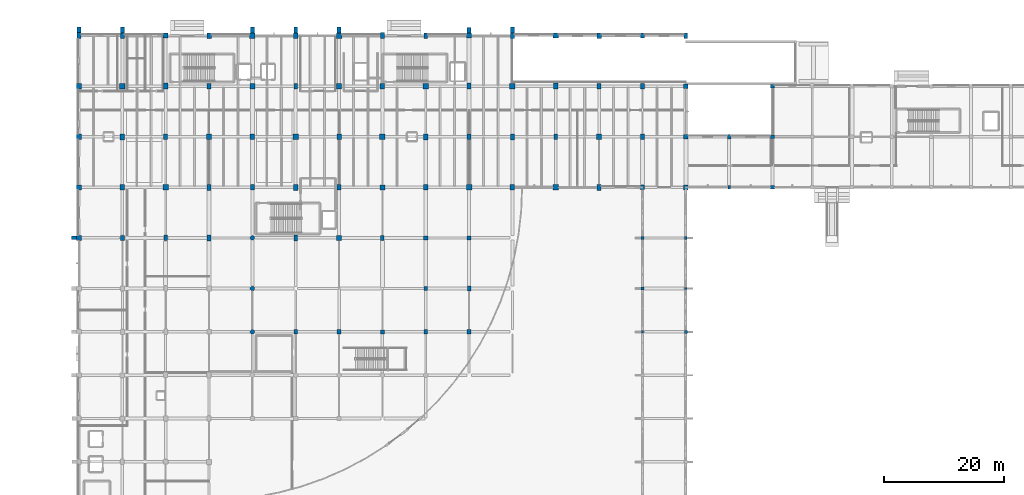
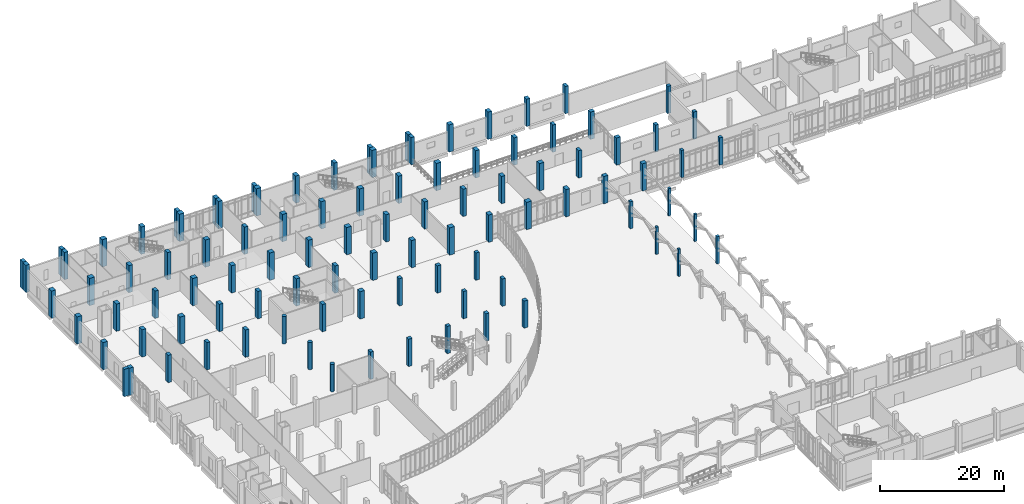
# One storey, part 5 of 110: 98 columns.
"""IFC4 building model written with IfcOpenShell, lengths in metres."""

from ifc_helpers import new_model, si_unit, direction, frame, origin, origin_2d, place, context, subcontext, project, spatial, rectangle, circle, extrude, material, material_profile, profile_set, type_object, element, save


model = new_model("IFC4")

# Units and contexts
model_context = context("Model", 3, precision=1e-05, world=origin(), true_north=direction((0.0, 1.0)))
body_context = subcontext(model_context, "Body", "Model", "MODEL_VIEW")
ifc_project = project(units=[si_unit("LENGTHUNIT", "METRE"), si_unit("AREAUNIT", "SQUARE_METRE"), si_unit("VOLUMEUNIT", "CUBIC_METRE"), si_unit("PLANEANGLEUNIT", "RADIAN"), si_unit("MASSUNIT", "GRAM", prefix="KILO")], contexts=[model_context])

# Site, building, storey
site_placement = place(None, origin())
site = spatial("IfcSite", under=ifc_project, at=site_placement, CompositionType="ELEMENT")
building_placement = place(site_placement, origin())
building = spatial("IfcBuilding", under=site, at=building_placement, Name="Kalluvel Institute of Natural Sciences", CompositionType="ELEMENT")
storey_placement = place(building_placement, origin())
storey = spatial("IfcBuildingStorey", under=building, at=storey_placement, Name="L00", CompositionType="ELEMENT", Elevation=0.0)

# Columns
ifc_material_1 = material(Name="Concrete M40", Category="concrete")
ifc_material_profile_1 = material_profile(ifc_material_1, rectangle(XDim=0.39990234375, YDim=0.39990234375, at=origin_2d()), Name="RC 400x400")
ifc_profile_set_1 = profile_set([ifc_material_profile_1], Name="Concrete M40")
column_type_1 = type_object("IfcColumnType", Name="COL-RC400", PredefinedType="COLUMN", material=ifc_profile_set_1)
for number, where, z_axis, x_axis, name in (
    (1, (107.60009765625, 78.800048828125, 0.0), (0.0, 0.0, 1.0), (1.0, 0.0, 0.0), "L00 structural column COL-L00-X1076-Y788"),
    (2, (114.800048828125, 86.0, 0.0), (0.0, 0.0, 1.0), (1.0, 0.0, 0.0), "L00 structural column COL-L00-X1148-Y860"),
):
    element("IfcColumn", number, at=place(storey_placement, frame(where, z_axis=z_axis, x_axis=x_axis)), inside=storey, type_object=column_type_1, Name=name, PredefinedType="COLUMN", context=body_context, shape_type="SweptSolid", body=[
        extrude(rectangle(XDim=0.39990234375, YDim=0.39990234375, at=origin_2d()), origin(), (0.0, 0.0, 1.0), 5.39990234375),
    ])
ifc_material_profile_2 = material_profile(ifc_material_1, rectangle(XDim=0.449951171875, YDim=0.449951171875, at=origin_2d()), Name="RC 450x450")
ifc_profile_set_2 = profile_set([ifc_material_profile_2], Name="Concrete M40")
column_type_2 = type_object("IfcColumnType", Name="COL-RC450", PredefinedType="COLUMN", material=ifc_profile_set_2)
for number, where, z_axis, x_axis, name in (
    (3, (107.60009765625, 86.0, 0.0), (0.0, 0.0, 1.0), (1.0, 0.0, 0.0), "L00 structural column COL-L00-X1076-Y860"),
    (4, (114.800048828125, 94.39990234375, 0.0), (0.0, 0.0, 1.0), (1.0, 0.0, 0.0), "L00 structural column COL-L00-X1148-Y944"),
):
    element("IfcColumn", number, at=place(storey_placement, frame(where, z_axis=z_axis, x_axis=x_axis)), inside=storey, type_object=column_type_2, Name=name, PredefinedType="COLUMN", context=body_context, shape_type="SweptSolid", body=[
        extrude(rectangle(XDim=0.449951171875, YDim=0.449951171875, at=origin_2d()), origin(), (0.0, 0.0, 1.0), 5.39990234375),
    ])
ifc_material_profile_3 = material_profile(ifc_material_1, rectangle(XDim=0.449951171875, YDim=0.60009765625, at=origin_2d()), Name="RC 450x600")
ifc_profile_set_3 = profile_set([ifc_material_profile_3], Name="Concrete M40")
column_type_3 = type_object("IfcColumnType", Name="COL-RC450x600", PredefinedType="COLUMN", material=ifc_profile_set_3)
column_1_placement = place(storey_placement, frame((122.0, 102.800048828125, 0.0), z_axis=(0.0, 0.0, 1.0), x_axis=(1.0, 0.0, 0.0)))
element("IfcColumn", 5, at=column_1_placement, inside=storey, type_object=column_type_3, Name="L00 structural column COL-L00-X1220-Y1028", PredefinedType="COLUMN", context=body_context, shape_type="SweptSolid", body=[
    extrude(rectangle(XDim=0.449951171875, YDim=0.60009765625, at=origin_2d()), origin(), (0.0, 0.0, 1.0), 5.39990234375),
])
ifc_material_profile_4 = material_profile(ifc_material_1, rectangle(XDim=0.5, YDim=0.5, at=origin_2d()), Name="RC 500x500")
ifc_profile_set_4 = profile_set([ifc_material_profile_4], Name="Concrete M40")
column_type_4 = type_object("IfcColumnType", Name="COL-RC500", PredefinedType="COLUMN", material=ifc_profile_set_4)
for number, where, z_axis, x_axis, name in (
    (6, (107.60009765625, 94.39990234375, 0.0), (0.0, 0.0, 1.0), (1.0, 0.0, 0.0), "L00 structural column COL-L00-X1076-Y944"),
    (7, (114.800048828125, 78.800048828125, 0.0), (0.0, 0.0, 1.0), (1.0, 0.0, 0.0), "L00 structural column COL-L00-X1148-Y788"),
):
    element("IfcColumn", number, at=place(storey_placement, frame(where, z_axis=z_axis, x_axis=x_axis)), inside=storey, type_object=column_type_4, Name=name, PredefinedType="COLUMN", context=body_context, shape_type="SweptSolid", body=[
        extrude(rectangle(XDim=0.5, YDim=0.5, at=origin_2d()), origin(), (0.0, 0.0, 1.0), 5.39990234375),
    ])
ifc_material_profile_5 = material_profile(ifc_material_1, rectangle(XDim=0.550048828125, YDim=0.75, at=origin_2d()), Name="RC 550x750")
ifc_profile_set_5 = profile_set([ifc_material_profile_5], Name="Concrete M40")
column_type_5 = type_object("IfcColumnType", Name="COL-RC550x750", PredefinedType="COLUMN", material=ifc_profile_set_5)
column_2_placement = place(storey_placement, frame((122.0, 111.199951171875, 0.0), z_axis=(0.0, 0.0, 1.0), x_axis=(1.0, 0.0, 0.0)))
element("IfcColumn", 8, at=column_2_placement, inside=storey, type_object=column_type_5, Name="L00 structural column COL-L00-X1220-Y1112", PredefinedType="COLUMN", context=body_context, shape_type="SweptSolid", body=[
    extrude(rectangle(XDim=0.550048828125, YDim=0.75, at=origin_2d()), origin(), (0.0, 0.0, 1.0), 5.39990234375),
])
ifc_material_profile_6 = material_profile(ifc_material_1, rectangle(XDim=0.60009765625, YDim=0.60009765625, at=origin_2d()), Name="RC 600x600")
ifc_profile_set_6 = profile_set([ifc_material_profile_6], Name="Concrete M40")
column_type_6 = type_object("IfcColumnType", Name="COL-RC600", PredefinedType="COLUMN", material=ifc_profile_set_6)
for number, where, z_axis, x_axis, name in (
    (9, (129.199951171875, 102.800048828125, 0.0), (0.0, 0.0, 1.0), (1.0, 0.0, 0.0), "L00 structural column COL-L00-X1292-Y1028"),
    (10, (129.199951171875, 111.199951171875, 0.0), (0.0, 0.0, 1.0), (1.0, 0.0, 0.0), "L00 structural column COL-L00-X1292-Y1112"),
    (11, (129.199951171875, 119.60009765625, 0.0), (0.0, 0.0, 1.0), (1.0, 0.0, 0.0), "L00 structural column COL-L00-X1292-Y1196"),
):
    element("IfcColumn", number, at=place(storey_placement, frame(where, z_axis=z_axis, x_axis=x_axis)), inside=storey, type_object=column_type_6, Name=name, PredefinedType="COLUMN", context=body_context, shape_type="SweptSolid", body=[
        extrude(rectangle(XDim=0.60009765625, YDim=0.60009765625, at=origin_2d()), origin(), (0.0, 0.0, 1.0), 5.39990234375),
    ])
ifc_material_2 = material(Name="Concrete M50", Category="concrete")
ifc_material_profile_7 = material_profile(ifc_material_2, rectangle(XDim=0.60009765625, YDim=0.800048828125, at=origin_2d()), Name="RC 600x800")
ifc_profile_set_7 = profile_set([ifc_material_profile_7], Name="Concrete M50")
column_type_7 = type_object("IfcColumnType", Name="COL-RC600x800", PredefinedType="COLUMN", material=ifc_profile_set_7)
for number, where, z_axis, x_axis, name in (
    (12, (50.0, 78.800048828125, 0.0), (0.0, 0.0, 1.0), (1.0, 0.0, 0.0), "L00 structural column COL-L00-X500-Y788"),
    (13, (64.39990234375, 94.39990234375, 0.0), (0.0, 0.0, 1.0), (1.0, 0.0, 0.0), "L00 structural column COL-L00-X644-Y944"),
    (14, (71.60009765625, 78.800048828125, 0.0), (0.0, 0.0, 1.0), (1.0, 0.0, 0.0), "L00 structural column COL-L00-X716-Y788"),
    (15, (78.800048828125, 86.0, 0.0), (0.0, 0.0, 1.0), (1.0, 0.0, 0.0), "L00 structural column COL-L00-X788-Y860"),
):
    element("IfcColumn", number, at=place(storey_placement, frame(where, z_axis=z_axis, x_axis=x_axis)), inside=storey, type_object=column_type_7, Name=name, PredefinedType="COLUMN", context=body_context, shape_type="SweptSolid", body=[
        extrude(rectangle(XDim=0.60009765625, YDim=0.800048828125, at=origin_2d()), origin(), (0.0, 0.0, 1.0), 5.39990234375),
    ])
ifc_material_profile_8 = material_profile(ifc_material_2, rectangle(XDim=0.60009765625, YDim=0.89990234375, at=origin_2d()), Name="RC 600x900")
ifc_profile_set_8 = profile_set([ifc_material_profile_8], Name="Concrete M50")
column_type_8 = type_object("IfcColumnType", Name="COL-RC600x900", PredefinedType="COLUMN", material=ifc_profile_set_8)
for number, where, z_axis, x_axis, name in (
    (16, (28.39990234375, 94.39990234375, 0.0), (0.0, 0.0, 1.0), (1.0, 0.0, 0.0), "L00 structural column COL-L00-X284-Y944"),
    (17, (107.60009765625, 111.199951171875, 0.0), (0.0, 0.0, 1.0), (1.0, 0.0, 0.0), "L00 structural column COL-L00-X1076-Y1112"),
    (18, (107.60009765625, 119.60009765625, 0.0), (0.0, 0.0, 1.0), (1.0, 0.0, 0.0), "L00 structural column COL-L00-X1076-Y1196"),
    (19, (114.800048828125, 128.0, 0.0), (0.0, 0.0, 1.0), (1.0, 0.0, 0.0), "L00 structural column COL-L00-X1148-Y1280"),
):
    element("IfcColumn", number, at=place(storey_placement, frame(where, z_axis=z_axis, x_axis=x_axis)), inside=storey, type_object=column_type_8, Name=name, PredefinedType="COLUMN", context=body_context, shape_type="SweptSolid", body=[
        extrude(rectangle(XDim=0.60009765625, YDim=0.89990234375, at=origin_2d()), origin(), (0.0, 0.0, 1.0), 5.39990234375),
    ])
ifc_material_profile_9 = material_profile(ifc_material_1, rectangle(XDim=0.64990234375, YDim=0.64990234375, at=origin_2d()), Name="RC 650x650")
ifc_profile_set_9 = profile_set([ifc_material_profile_9], Name="Concrete M40")
column_type_9 = type_object("IfcColumnType", Name="COL-RC650", PredefinedType="COLUMN", material=ifc_profile_set_9)
for number, where, z_axis, x_axis, name in (
    (20, (64.39990234375, 78.800048828125, 0.0), (0.0, 0.0, 1.0), (1.0, 0.0, 0.0), "L00 structural column COL-L00-X644-Y788"),
    (21, (71.60009765625, 86.0, 0.0), (0.0, 0.0, 1.0), (1.0, 0.0, 0.0), "L00 structural column COL-L00-X716-Y860"),
    (22, (78.800048828125, 94.39990234375, 0.0), (0.0, 0.0, 1.0), (1.0, 0.0, 0.0), "L00 structural column COL-L00-X788-Y944"),
):
    element("IfcColumn", number, at=place(storey_placement, frame(where, z_axis=z_axis, x_axis=x_axis)), inside=storey, type_object=column_type_9, Name=name, PredefinedType="COLUMN", context=body_context, shape_type="SweptSolid", body=[
        extrude(rectangle(XDim=0.64990234375, YDim=0.64990234375, at=origin_2d()), origin(), (0.0, 0.0, 1.0), 5.39990234375),
    ])
ifc_material_profile_10 = material_profile(ifc_material_2, rectangle(XDim=0.64990234375, YDim=0.85009765625, at=origin_2d()), Name="RC 650x850")
ifc_profile_set_10 = profile_set([ifc_material_profile_10], Name="Concrete M50")
column_type_10 = type_object("IfcColumnType", Name="COL-RC650x850", PredefinedType="COLUMN", material=ifc_profile_set_10)
for number, where, z_axis, x_axis, name in (
    (23, (21.199951171875, 94.39990234375, 0.0), (0.0, 0.0, 1.0), (1.0, 0.0, 0.0), "L00 structural column COL-L00-X212-Y944"),
    (24, (107.60009765625, 128.0, 0.0), (0.0, 0.0, 1.0), (1.0, 0.0, 0.0), "L00 structural column COL-L00-X1076-Y1280"),
):
    element("IfcColumn", number, at=place(storey_placement, frame(where, z_axis=z_axis, x_axis=x_axis)), inside=storey, type_object=column_type_10, Name=name, PredefinedType="COLUMN", context=body_context, shape_type="SweptSolid", body=[
        extrude(rectangle(XDim=0.64990234375, YDim=0.85009765625, at=origin_2d()), origin(), (0.0, 0.0, 1.0), 5.39990234375),
    ])
ifc_material_profile_11 = material_profile(ifc_material_2, rectangle(XDim=0.64990234375, YDim=0.949951171875, at=origin_2d()), Name="RC 650x950")
ifc_profile_set_11 = profile_set([ifc_material_profile_11], Name="Concrete M50")
column_type_11 = type_object("IfcColumnType", Name="COL-RC650x950", PredefinedType="COLUMN", material=ifc_profile_set_11)
for number, where, z_axis, x_axis, name in (
    (25, (21.199951171875, 128.0, 0.0), (0.0, 0.0, 1.0), (1.0, 0.0, 0.0), "L00 structural column COL-L00-X212-Y1280"),
    (26, (28.39990234375, 111.199951171875, 0.0), (0.0, 0.0, 1.0), (1.0, 0.0, 0.0), "L00 structural column COL-L00-X284-Y1112"),
    (27, (35.60009765625, 94.39990234375, 0.0), (0.0, 0.0, 1.0), (1.0, 0.0, 0.0), "L00 structural column COL-L00-X356-Y944"),
    (28, (35.60009765625, 119.60009765625, 0.0), (0.0, 0.0, 1.0), (1.0, 0.0, 0.0), "L00 structural column COL-L00-X356-Y1196"),
    (29, (42.800048828125, 102.800048828125, 0.0), (0.0, 0.0, 1.0), (1.0, 0.0, 0.0), "L00 structural column COL-L00-X428-Y1028"),
    (30, (50.0, 94.39990234375, 0.0), (0.0, 0.0, 1.0), (1.0, 0.0, 0.0), "L00 structural column COL-L00-X500-Y944"),
    (31, (50.0, 119.60009765625, 0.0), (0.0, 0.0, 1.0), (1.0, 0.0, 0.0), "L00 structural column COL-L00-X500-Y1196"),
    (32, (57.199951171875, 102.800048828125, 0.0), (0.0, 0.0, 1.0), (1.0, 0.0, 0.0), "L00 structural column COL-L00-X572-Y1028"),
    (33, (71.60009765625, 128.0, 0.0), (0.0, 0.0, 1.0), (1.0, 0.0, 0.0), "L00 structural column COL-L00-X716-Y1280"),
    (34, (78.800048828125, 111.199951171875, 0.0), (0.0, 0.0, 1.0), (1.0, 0.0, 0.0), "L00 structural column COL-L00-X788-Y1112"),
    (35, (86.0, 128.0, 0.0), (0.0, 0.0, 1.0), (1.0, 0.0, 0.0), "L00 structural column COL-L00-X860-Y1280"),
    (36, (93.199951171875, 111.199951171875, 0.0), (0.0, 0.0, 1.0), (1.0, 0.0, 0.0), "L00 structural column COL-L00-X932-Y1112"),
    (37, (100.39990234375, 119.60009765625, 0.0), (0.0, 0.0, 1.0), (1.0, 0.0, 0.0), "L00 structural column COL-L00-X1004-Y1196"),
):
    element("IfcColumn", number, at=place(storey_placement, frame(where, z_axis=z_axis, x_axis=x_axis)), inside=storey, type_object=column_type_11, Name=name, PredefinedType="COLUMN", context=body_context, shape_type="SweptSolid", body=[
        extrude(rectangle(XDim=0.64990234375, YDim=0.949951171875, at=origin_2d()), origin(), (0.0, 0.0, 1.0), 5.39990234375),
    ])
ifc_material_profile_12 = material_profile(ifc_material_1, rectangle(XDim=0.699951171875, YDim=0.699951171875, at=origin_2d()), Name="RC 700x700")
ifc_profile_set_12 = profile_set([ifc_material_profile_12], Name="Concrete M40")
column_type_12 = type_object("IfcColumnType", Name="COL-RC700", PredefinedType="COLUMN", material=ifc_profile_set_12)
for number, where, z_axis, x_axis, name in (
    (38, (57.199951171875, 78.800048828125, 0.0), (0.0, 0.0, 1.0), (1.0, 0.0, 0.0), "L00 structural column COL-L00-X572-Y788"),
    (39, (71.60009765625, 94.39990234375, 0.0), (0.0, 0.0, 1.0), (1.0, 0.0, 0.0), "L00 structural column COL-L00-X716-Y944"),
    (40, (78.800048828125, 78.800048828125, 0.0), (0.0, 0.0, 1.0), (1.0, 0.0, 0.0), "L00 structural column COL-L00-X788-Y788"),
):
    element("IfcColumn", number, at=place(storey_placement, frame(where, z_axis=z_axis, x_axis=x_axis)), inside=storey, type_object=column_type_12, Name=name, PredefinedType="COLUMN", context=body_context, shape_type="SweptSolid", body=[
        extrude(rectangle(XDim=0.699951171875, YDim=0.699951171875, at=origin_2d()), origin(), (0.0, 0.0, 1.0), 5.39990234375),
    ])
ifc_material_profile_13 = material_profile(ifc_material_2, rectangle(XDim=0.699951171875, YDim=1.0, at=origin_2d()), Name="RC 700x1000")
ifc_profile_set_13 = profile_set([ifc_material_profile_13], Name="Concrete M50")
column_type_13 = type_object("IfcColumnType", Name="COL-RC700x1000", PredefinedType="COLUMN", material=ifc_profile_set_13)
for number, where, z_axis, x_axis, name in (
    (41, (14.0, 128.0, 0.0), (0.0, 0.0, 1.0), (1.0, 0.0, 0.0), "L00 structural column COL-L00-X140-Y1280"),
    (42, (21.199951171875, 111.199951171875, 0.0), (0.0, 0.0, 1.0), (1.0, 0.0, 0.0), "L00 structural column COL-L00-X212-Y1112"),
    (43, (28.39990234375, 119.60009765625, 0.0), (0.0, 0.0, 1.0), (1.0, 0.0, 0.0), "L00 structural column COL-L00-X284-Y1196"),
    (44, (35.60009765625, 102.800048828125, 0.0), (0.0, 0.0, 1.0), (1.0, 0.0, 0.0), "L00 structural column COL-L00-X356-Y1028"),
    (45, (50.0, 102.800048828125, 0.0), (0.0, 0.0, 1.0), (1.0, 0.0, 0.0), "L00 structural column COL-L00-X500-Y1028"),
    (46, (64.39990234375, 128.0, 0.0), (0.0, 0.0, 1.0), (1.0, 0.0, 0.0), "L00 structural column COL-L00-X644-Y1280"),
    (47, (71.60009765625, 111.199951171875, 0.0), (0.0, 0.0, 1.0), (1.0, 0.0, 0.0), "L00 structural column COL-L00-X716-Y1112"),
    (48, (78.800048828125, 119.60009765625, 0.0), (0.0, 0.0, 1.0), (1.0, 0.0, 0.0), "L00 structural column COL-L00-X788-Y1196"),
    (49, (86.0, 111.199951171875, 0.0), (0.0, 0.0, 1.0), (1.0, 0.0, 0.0), "L00 structural column COL-L00-X860-Y1112"),
    (50, (93.199951171875, 119.60009765625, 0.0), (0.0, 0.0, 1.0), (1.0, 0.0, 0.0), "L00 structural column COL-L00-X932-Y1196"),
    (51, (100.39990234375, 102.800048828125, 0.0), (0.0, 0.0, 1.0), (1.0, 0.0, 0.0), "L00 structural column COL-L00-X1004-Y1028"),
):
    element("IfcColumn", number, at=place(storey_placement, frame(where, z_axis=z_axis, x_axis=x_axis)), inside=storey, type_object=column_type_13, Name=name, PredefinedType="COLUMN", context=body_context, shape_type="SweptSolid", body=[
        extrude(rectangle(XDim=0.699951171875, YDim=1.0, at=origin_2d()), origin(), (0.0, 0.0, 1.0), 5.39990234375),
    ])
ifc_material_profile_14 = material_profile(ifc_material_2, rectangle(XDim=0.75, YDim=0.75, at=origin_2d()), Name="RC 750x750")
ifc_profile_set_14 = profile_set([ifc_material_profile_14], Name="Concrete M50")
column_type_14 = type_object("IfcColumnType", Name="COL-RC750", PredefinedType="COLUMN", material=ifc_profile_set_14)
for number, where, z_axis, x_axis, name in (
    (52, (107.60009765625, 102.800048828125, 0.0), (0.0, 0.0, 1.0), (1.0, 0.0, 0.0), "L00 structural column COL-L00-X1076-Y1028"),
    (53, (114.800048828125, 111.199951171875, 0.0), (0.0, 0.0, 1.0), (1.0, 0.0, 0.0), "L00 structural column COL-L00-X1148-Y1112"),
    (54, (114.800048828125, 119.60009765625, 0.0), (0.0, 0.0, 1.0), (1.0, 0.0, 0.0), "L00 structural column COL-L00-X1148-Y1196"),
):
    element("IfcColumn", number, at=place(storey_placement, frame(where, z_axis=z_axis, x_axis=x_axis)), inside=storey, type_object=column_type_14, Name=name, PredefinedType="COLUMN", context=body_context, shape_type="SweptSolid", body=[
        extrude(rectangle(XDim=0.75, YDim=0.75, at=origin_2d()), origin(), (0.0, 0.0, 1.0), 5.39990234375),
    ])
ifc_material_profile_15 = material_profile(ifc_material_2, rectangle(XDim=0.75, YDim=0.949951171875, at=origin_2d()), Name="RC 750x950")
ifc_profile_set_15 = profile_set([ifc_material_profile_15], Name="Concrete M50")
column_type_15 = type_object("IfcColumnType", Name="COL-RC750x950", PredefinedType="COLUMN", material=ifc_profile_set_15)
for number, where, z_axis, x_axis, name in (
    (55, (14.0, 119.60009765625, 0.0), (0.0, 0.0, 1.0), (1.0, 0.0, 0.0), "L00 structural column COL-L00-X140-Y1196"),
    (56, (21.199951171875, 102.800048828125, 0.0), (0.0, 0.0, 1.0), (1.0, 0.0, 0.0), "L00 structural column COL-L00-X212-Y1028"),
    (57, (35.60009765625, 128.0, 0.0), (0.0, 0.0, 1.0), (1.0, 0.0, 0.0), "L00 structural column COL-L00-X356-Y1280"),
    (58, (42.800048828125, 111.199951171875, 0.0), (0.0, 0.0, 1.0), (1.0, 0.0, 0.0), "L00 structural column COL-L00-X428-Y1112"),
    (59, (50.0, 128.0, 0.0), (0.0, 0.0, 1.0), (1.0, 0.0, 0.0), "L00 structural column COL-L00-X500-Y1280"),
    (60, (57.199951171875, 111.199951171875, 0.0), (0.0, 0.0, 1.0), (1.0, 0.0, 0.0), "L00 structural column COL-L00-X572-Y1112"),
    (61, (64.39990234375, 119.60009765625, 0.0), (0.0, 0.0, 1.0), (1.0, 0.0, 0.0), "L00 structural column COL-L00-X644-Y1196"),
    (62, (71.60009765625, 102.800048828125, 0.0), (0.0, 0.0, 1.0), (1.0, 0.0, 0.0), "L00 structural column COL-L00-X716-Y1028"),
    (63, (86.0, 102.800048828125, 0.0), (0.0, 0.0, 1.0), (1.0, 0.0, 0.0), "L00 structural column COL-L00-X860-Y1028"),
    (64, (100.39990234375, 128.0, 0.0), (0.0, 0.0, 1.0), (1.0, 0.0, 0.0), "L00 structural column COL-L00-X1004-Y1280"),
):
    element("IfcColumn", number, at=place(storey_placement, frame(where, z_axis=z_axis, x_axis=x_axis)), inside=storey, type_object=column_type_15, Name=name, PredefinedType="COLUMN", context=body_context, shape_type="SweptSolid", body=[
        extrude(rectangle(XDim=0.75, YDim=0.949951171875, at=origin_2d()), origin(), (0.0, 0.0, 1.0), 5.39990234375),
    ])
ifc_material_profile_16 = material_profile(ifc_material_2, rectangle(XDim=0.800048828125, YDim=0.800048828125, at=origin_2d()), Name="RC 800x800")
ifc_profile_set_16 = profile_set([ifc_material_profile_16], Name="Concrete M50")
column_type_16 = type_object("IfcColumnType", Name="COL-RC800", PredefinedType="COLUMN", material=ifc_profile_set_16)
for number, where, z_axis, x_axis, name in (
    (65, (14.0, 94.39990234375, 0.0), (0.0, 0.0, 1.0), (1.0, 0.0, 0.0), "L00 structural column COL-L00-X140-Y944"),
    (66, (114.800048828125, 102.800048828125, 0.0), (0.0, 0.0, 1.0), (1.0, 0.0, 0.0), "L00 structural column COL-L00-X1148-Y1028"),
):
    element("IfcColumn", number, at=place(storey_placement, frame(where, z_axis=z_axis, x_axis=x_axis)), inside=storey, type_object=column_type_16, Name=name, PredefinedType="COLUMN", context=body_context, shape_type="SweptSolid", body=[
        extrude(rectangle(XDim=0.800048828125, YDim=0.800048828125, at=origin_2d()), origin(), (0.0, 0.0, 1.0), 5.39990234375),
    ])
ifc_material_profile_17 = material_profile(ifc_material_2, rectangle(XDim=0.85009765625, YDim=0.85009765625, at=origin_2d()), Name="RC 850x850")
ifc_profile_set_17 = profile_set([ifc_material_profile_17], Name="Concrete M50")
column_type_17 = type_object("IfcColumnType", Name="COL-RC850", PredefinedType="COLUMN", material=ifc_profile_set_17)
for number, where, z_axis, x_axis, name in (
    (67, (14.0, 102.800048828125, 0.0), (0.0, 0.0, 1.0), (1.0, 0.0, 0.0), "L00 structural column COL-L00-X140-Y1028"),
    (68, (28.39990234375, 128.0, 0.0), (0.0, 0.0, 1.0), (1.0, 0.0, 0.0), "L00 structural column COL-L00-X284-Y1280"),
    (69, (35.60009765625, 111.199951171875, 0.0), (0.0, 0.0, 1.0), (1.0, 0.0, 0.0), "L00 structural column COL-L00-X356-Y1112"),
    (70, (42.800048828125, 119.60009765625, 0.0), (0.0, 0.0, 1.0), (1.0, 0.0, 0.0), "L00 structural column COL-L00-X428-Y1196"),
    (71, (50.0, 111.199951171875, 0.0), (0.0, 0.0, 1.0), (1.0, 0.0, 0.0), "L00 structural column COL-L00-X500-Y1112"),
    (72, (57.199951171875, 94.39990234375, 0.0), (0.0, 0.0, 1.0), (1.0, 0.0, 0.0), "L00 structural column COL-L00-X572-Y944"),
    (73, (57.199951171875, 119.60009765625, 0.0), (0.0, 0.0, 1.0), (1.0, 0.0, 0.0), "L00 structural column COL-L00-X572-Y1196"),
    (74, (64.39990234375, 102.800048828125, 0.0), (0.0, 0.0, 1.0), (1.0, 0.0, 0.0), "L00 structural column COL-L00-X644-Y1028"),
    (75, (78.800048828125, 128.0, 0.0), (0.0, 0.0, 1.0), (1.0, 0.0, 0.0), "L00 structural column COL-L00-X788-Y1280"),
    (76, (93.199951171875, 128.0, 0.0), (0.0, 0.0, 1.0), (1.0, 0.0, 0.0), "L00 structural column COL-L00-X932-Y1280"),
    (77, (100.39990234375, 111.199951171875, 0.0), (0.0, 0.0, 1.0), (1.0, 0.0, 0.0), "L00 structural column COL-L00-X1004-Y1112"),
):
    element("IfcColumn", number, at=place(storey_placement, frame(where, z_axis=z_axis, x_axis=x_axis)), inside=storey, type_object=column_type_17, Name=name, PredefinedType="COLUMN", context=body_context, shape_type="SweptSolid", body=[
        extrude(rectangle(XDim=0.85009765625, YDim=0.85009765625, at=origin_2d()), origin(), (0.0, 0.0, 1.0), 5.39990234375),
    ])
ifc_material_profile_18 = material_profile(ifc_material_2, rectangle(XDim=0.89990234375, YDim=0.89990234375, at=origin_2d()), Name="RC 900x900")
ifc_profile_set_18 = profile_set([ifc_material_profile_18], Name="Concrete M50")
column_type_18 = type_object("IfcColumnType", Name="COL-RC900", PredefinedType="COLUMN", material=ifc_profile_set_18)
for number, where, z_axis, x_axis, name in (
    (78, (14.0, 111.199951171875, 0.0), (0.0, 0.0, 1.0), (1.0, 0.0, 0.0), "L00 structural column COL-L00-X140-Y1112"),
    (79, (21.199951171875, 119.60009765625, 0.0), (0.0, 0.0, 1.0), (1.0, 0.0, 0.0), "L00 structural column COL-L00-X212-Y1196"),
    (80, (28.39990234375, 102.800048828125, 0.0), (0.0, 0.0, 1.0), (1.0, 0.0, 0.0), "L00 structural column COL-L00-X284-Y1028"),
    (81, (42.800048828125, 128.0, 0.0), (0.0, 0.0, 1.0), (1.0, 0.0, 0.0), "L00 structural column COL-L00-X428-Y1280"),
    (82, (57.199951171875, 128.0, 0.0), (0.0, 0.0, 1.0), (1.0, 0.0, 0.0), "L00 structural column COL-L00-X572-Y1280"),
    (83, (64.39990234375, 111.199951171875, 0.0), (0.0, 0.0, 1.0), (1.0, 0.0, 0.0), "L00 structural column COL-L00-X644-Y1112"),
    (84, (71.60009765625, 119.60009765625, 0.0), (0.0, 0.0, 1.0), (1.0, 0.0, 0.0), "L00 structural column COL-L00-X716-Y1196"),
    (85, (78.800048828125, 102.800048828125, 0.0), (0.0, 0.0, 1.0), (1.0, 0.0, 0.0), "L00 structural column COL-L00-X788-Y1028"),
    (86, (86.0, 119.60009765625, 0.0), (0.0, 0.0, 1.0), (1.0, 0.0, 0.0), "L00 structural column COL-L00-X860-Y1196"),
    (87, (93.199951171875, 102.800048828125, 0.0), (0.0, 0.0, 1.0), (1.0, 0.0, 0.0), "L00 structural column COL-L00-X932-Y1028"),
):
    element("IfcColumn", number, at=place(storey_placement, frame(where, z_axis=z_axis, x_axis=x_axis)), inside=storey, type_object=column_type_18, Name=name, PredefinedType="COLUMN", context=body_context, shape_type="SweptSolid", body=[
        extrude(rectangle(XDim=0.89990234375, YDim=0.89990234375, at=origin_2d()), origin(), (0.0, 0.0, 1.0), 5.39990234375),
    ])
ifc_material_profile_19 = material_profile(ifc_material_2, circle(Radius=0.375, at=origin_2d()), Name="RCCOL D750")
ifc_profile_set_19 = profile_set([ifc_material_profile_19], Name="Concrete M50")
column_type_19 = type_object("IfcColumnType", Name="COL-RCD750", PredefinedType="COLUMN", material=ifc_profile_set_19)
for number, where, z_axis, x_axis, name in (
    (88, (42.800048828125, 78.800048828125, 0.0), (0.0, 0.0, 1.0), (1.0, 0.0, 0.0), "L00 structural column COL-L00-X428-Y788"),
    (89, (42.800048828125, 86.0, 0.0), (0.0, 0.0, 1.0), (1.0, 0.0, 0.0), "L00 structural column COL-L00-X428-Y860"),
    (90, (42.800048828125, 94.39990234375, 0.0), (0.0, 0.0, 1.0), (1.0, 0.0, 0.0), "L00 structural column COL-L00-X428-Y944"),
):
    element("IfcColumn", number, at=place(storey_placement, frame(where, z_axis=z_axis, x_axis=x_axis)), inside=storey, type_object=column_type_19, Name=name, PredefinedType="COLUMN", context=body_context, shape_type="SweptSolid", body=[
        extrude(circle(Radius=0.375, at=origin_2d()), origin(), (0.0, 0.0, 1.0), 5.39990234375),
    ])
ifc_material_3 = material(Name="Sadarahalli Granite Precast Concrete M45", Category="masonry")
ifc_material_profile_20 = material_profile(ifc_material_3, rectangle(XDim=0.60009765625, YDim=0.85009765625, at=origin_2d()), Name="PIL 600x850")
ifc_profile_set_20 = profile_set([ifc_material_profile_20], Name="Sadarahalli Granite Precast Concrete M45")
column_type_20 = type_object("IfcColumnType", Name="PIL-600x850", PredefinedType="PILASTER", material=ifc_profile_set_20)
column_3_placement = place(storey_placement, frame((13.172119140625, 94.39990234375, 0.0), z_axis=(0.0, 0.0, 1.0), x_axis=(0.0, 1.0, 0.0)))
element("IfcColumn", 91, at=column_3_placement, inside=storey, type_object=column_type_20, Name="L00 Gothic stepped Sadarahalli granite buttress 126", PredefinedType="PILASTER", context=body_context, shape_type="SweptSolid", body=[
    extrude(rectangle(XDim=0.60009765625, YDim=0.85009765625, at=origin_2d()), origin(), (0.0, 0.0, 1.0), 5.39990234375),
])
ifc_material_profile_21 = material_profile(ifc_material_3, rectangle(XDim=0.64990234375, YDim=0.949951171875, at=origin_2d()), Name="PIL 650x950")
ifc_profile_set_21 = profile_set([ifc_material_profile_21], Name="Sadarahalli Granite Precast Concrete M45")
column_type_21 = type_object("IfcColumnType", Name="PIL-650x950", PredefinedType="PILASTER", material=ifc_profile_set_21)
for number, where, z_axis, x_axis, name in (
    (92, (14.0, 128.97802734375, 0.0), (0.0, 0.0, 1.0), (1.0, 0.0, 0.0), "L00 Gothic stepped Sadarahalli granite buttress 2"),
    (93, (21.199951171875, 128.952880859375, 0.0), (0.0, 0.0, 1.0), (1.0, 0.0, 0.0), "L00 Gothic stepped Sadarahalli granite buttress 12"),
    (94, (42.800048828125, 128.927978515625, 0.0), (0.0, 0.0, 1.0), (1.0, 0.0, 0.0), "L00 Gothic stepped Sadarahalli granite buttress 22"),
    (95, (50.0, 128.952880859375, 0.0), (0.0, 0.0, 1.0), (1.0, 0.0, 0.0), "L00 Gothic stepped Sadarahalli granite buttress 32"),
    (96, (57.199951171875, 128.927978515625, 0.0), (0.0, 0.0, 1.0), (1.0, 0.0, 0.0), "L00 Gothic stepped Sadarahalli granite buttress 42"),
    (97, (78.800048828125, 128.903076171875, 0.0), (0.0, 0.0, 1.0), (1.0, 0.0, 0.0), "L00 Gothic stepped Sadarahalli granite buttress 52"),
    (98, (86.0, 128.952880859375, 0.0), (0.0, 0.0, 1.0), (1.0, 0.0, 0.0), "L00 Gothic stepped Sadarahalli granite buttress 62"),
):
    element("IfcColumn", number, at=place(storey_placement, frame(where, z_axis=z_axis, x_axis=x_axis)), inside=storey, type_object=column_type_21, Name=name, PredefinedType="PILASTER", context=body_context, shape_type="SweptSolid", body=[
        extrude(rectangle(XDim=0.64990234375, YDim=0.949951171875, at=origin_2d()), origin(), (0.0, 0.0, 1.0), 5.39990234375),
    ])

save(model, "model.ifc")
